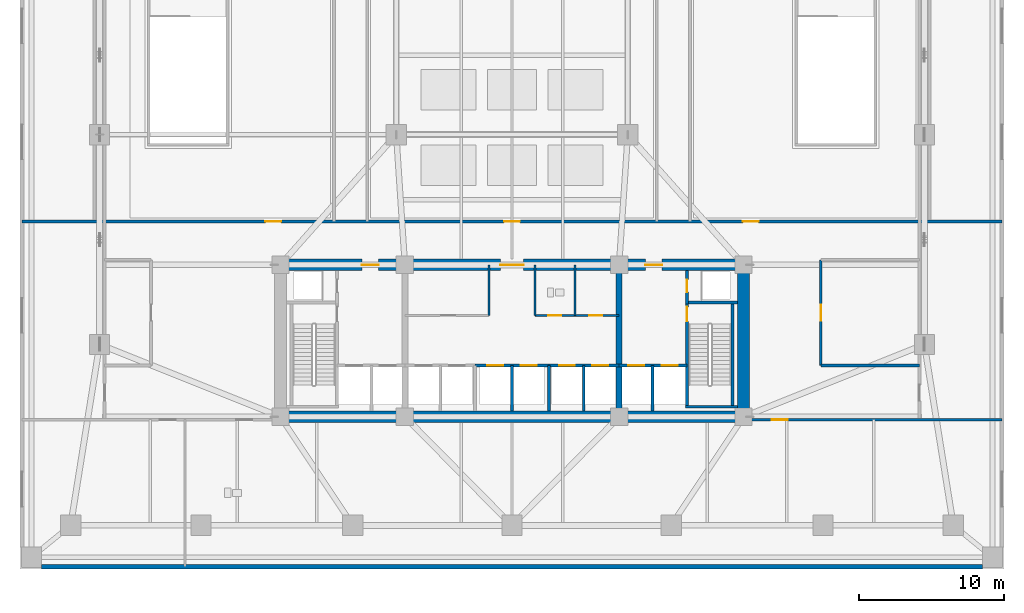
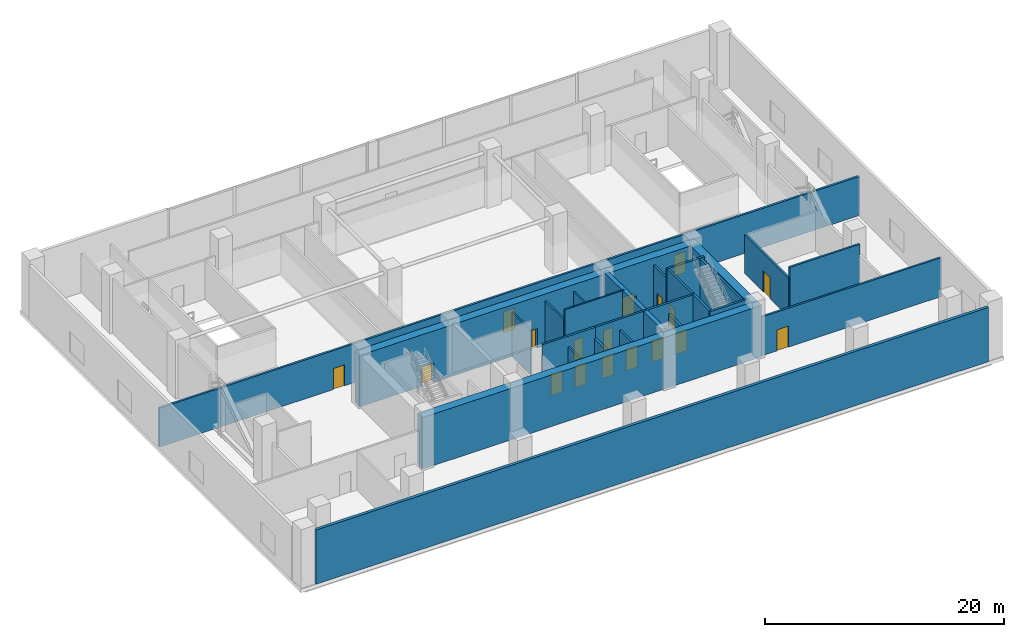
# One storey, part 12 of 16: 25 walls, 18 doors, 18 openings.
"""IFC4 building model written with IfcOpenShell, lengths in metres."""

from ifc_helpers import new_model, si_unit, direction, frame, frame_2d, origin, place, context, subcontext, project, spatial, rectangle, extrude, material, layer, layer_set, type_object, element, fill, save


model = new_model("IFC4")

# Units and contexts
model_context = context("Model", 3, precision=1e-05, world=origin(), true_north=direction((0.0, 1.0)))
body_context = subcontext(model_context, "Body", "Model", "MODEL_VIEW")
ifc_project = project(units=[si_unit("LENGTHUNIT", "METRE"), si_unit("AREAUNIT", "SQUARE_METRE"), si_unit("VOLUMEUNIT", "CUBIC_METRE"), si_unit("PLANEANGLEUNIT", "RADIAN"), si_unit("MASSUNIT", "GRAM", prefix="KILO")], contexts=[model_context])

# Site, building, storey
site_placement = place(None, origin())
site = spatial("IfcSite", under=ifc_project, at=site_placement, CompositionType="ELEMENT")
building_placement = place(site_placement, origin())
building = spatial("IfcBuilding", under=site, at=building_placement, Name="Solmavex Isthmus Hotel", CompositionType="ELEMENT")
storey_placement = place(building_placement, frame((0.0, 0.0, 20.39990234375)))
storey = spatial("IfcBuildingStorey", under=building, at=storey_placement, Name="L05", CompositionType="ELEMENT", Elevation=20.39990234375)

# Walls
ifc_material_1 = material(Name="Precast Concrete C40/50", Category="concrete")
ifc_layer_1 = layer(ifc_material_1, 0.280029296875)
ifc_layer_set_1 = layer_set([ifc_layer_1], Name="Precast Concrete C40/50")
wall_type_1 = type_object("IfcWallType", Name="EW-POD-280", PredefinedType="STANDARD", material=ifc_layer_set_1)
wall_1_placement = place(storey_placement, frame((-32.5, -23.360107421875, 0.0), z_axis=(0.0, 0.0, 1.0), x_axis=(1.0, 0.0, 0.0)))
element("IfcWall", 1, at=wall_1_placement, inside=storey, type_object=wall_type_1, Name="Podium Facade Wall South L05", PredefinedType="STANDARD", context=body_context, shape_type="SweptSolid", body=[
    extrude(rectangle(XDim=65.0, YDim=0.280029296875, at=frame_2d((32.5, 0.0))), origin(), (0.0, 0.0, 1.0), 5.550048828125),
])
ifc_material_2 = material(Name="Gypsum plasterboard lining", Category="gypsum")
ifc_layer_2 = layer(ifc_material_2, 0.14990234375)
ifc_layer_set_2 = layer_set([ifc_layer_2], Name="Gypsum plasterboard lining")
wall_type_2 = type_object("IfcWallType", Name="IW-CORR-150", PredefinedType="PARTITIONING", material=ifc_layer_set_2)
wall_2_placement = place(storey_placement, frame((-1.60009765625, -6.0, 0.0), z_axis=(0.0, 0.0, 1.0), x_axis=(0.0, 1.0, 0.0)))
element("IfcWall", 2, at=wall_2_placement, inside=storey, type_object=wall_type_2, Name="Interior Partition Wall W-L05-BOH-WE", PredefinedType="PARTITIONING", context=body_context, shape_type="SweptSolid", body=[
    extrude(rectangle(XDim=3.5, YDim=0.14990234375, at=frame_2d((1.75, 0.0))), origin(), (0.0, 0.0, 1.0), 4.545166015625),
])

# Wall, openings, doors
wall_3_placement = place(storey_placement, frame((1.60009765625, -6.0, 0.0), z_axis=(0.0, 0.0, 1.0), x_axis=(1.0, 0.0, 0.0)))
wall_3 = element("IfcWall", 3, at=wall_3_placement, inside=storey, type_object=wall_type_2, Name="Interior Partition Wall W-L05-BOH-ES", PredefinedType="PARTITIONING", context=body_context, shape_type="SweptSolid", body=[
    extrude(rectangle(XDim=5.7998046875, YDim=0.14990234375, at=frame_2d((2.89990234375, 0.0))), origin(), (0.0, 0.0, 1.0), 5.550048828125),
])
opening_1_placement = place(wall_3_placement, frame((0.89990234375, 0.0, 0.0)))
opening_1 = element("IfcOpeningElement", 4, at=opening_1_placement, cuts=wall_3, Name="Opening ID-C090", PredefinedType="OPENING", context=body_context, shape_type="SweptSolid", body=[
    extrude(rectangle(XDim=0.89990234375, YDim=2.10009765625, at=frame_2d((0.449951171875, 1.050048828125))), frame((0.0, 0.0849609375, 0.0), z_axis=(0.0, -1.0, 0.0), x_axis=(1.0, 0.0, 0.0)), (0.0, 0.0, 1.0), 0.169921875),
])
opening_2_placement = place(wall_3_placement, frame((3.75, 0.0, 0.0)))
opening_2 = element("IfcOpeningElement", 5, at=opening_2_placement, cuts=wall_3, Name="Opening ID-C090", PredefinedType="OPENING", context=body_context, shape_type="SweptSolid", body=[
    extrude(rectangle(XDim=0.89990234375, YDim=2.10009765625, at=frame_2d((0.449951171875, 1.050048828125))), frame((0.0, 0.0849609375, 0.0), z_axis=(0.0, -1.0, 0.0), x_axis=(1.0, 0.0, 0.0)), (0.0, 0.0, 1.0), 0.169921875),
])
ifc_material_3 = material(Name="Hardwood timber", Category="wood")
door_type_1 = type_object("IfcDoorType", Name="IDR-FD60-0900", OperationType="NOTDEFINED", PredefinedType="DOOR", material=ifc_material_3)
door_1_placement = place(opening_1_placement, frame((0.89990234375, 0.0, 0.0), z_axis=(0.0, 0.0, 1.0), x_axis=(-1.0, 0.0, 0.0)))
door_1 = element("IfcDoor", 6, at=door_1_placement, inside=storey, type_object=door_type_1, Name="Staff WC Door L05", OperationType="SINGLE_SWING_RIGHT", OverallHeight=2.10009765625, OverallWidth=0.89990234375, PredefinedType="DOOR", context=body_context, shape_type="SweptSolid", body=[
    extrude(rectangle(XDim=0.89990234375, YDim=2.10009765625, at=frame_2d((0.449951171875, 1.050048828125))), frame((0.0, 0.02490234375, 0.0), z_axis=(0.0, -1.0, 0.0), x_axis=(1.0, 0.0, 0.0)), (0.0, 0.0, 1.0), 0.050048828125),
])
fill(opening_1, door_1)
door_2_placement = place(opening_2_placement, frame((0.89990234375, 0.0, 0.0), z_axis=(0.0, 0.0, 1.0), x_axis=(-1.0, 0.0, 0.0)))
door_2 = element("IfcDoor", 7, at=door_2_placement, inside=storey, type_object=door_type_1, Name="Pantry Door L05", OperationType="SINGLE_SWING_LEFT", OverallHeight=2.10009765625, OverallWidth=0.89990234375, PredefinedType="DOOR", context=body_context, shape_type="SweptSolid", body=[
    extrude(rectangle(XDim=0.89990234375, YDim=2.10009765625, at=frame_2d((0.449951171875, 1.050048828125))), frame((0.0, 0.02490234375, 0.0), z_axis=(0.0, -1.0, 0.0), x_axis=(1.0, 0.0, 0.0)), (0.0, 0.0, 1.0), 0.050048828125),
])
fill(opening_2, door_2)

# Walls
wall_4_placement = place(storey_placement, frame((1.60009765625, -6.0, 0.0), z_axis=(0.0, 0.0, 1.0), x_axis=(0.0, 1.0, 0.0)))
element("IfcWall", 8, at=wall_4_placement, inside=storey, type_object=wall_type_2, Name="Interior Partition Wall W-L05-BOH-EW", PredefinedType="PARTITIONING", context=body_context, shape_type="SweptSolid", body=[
    extrude(rectangle(XDim=3.5, YDim=0.14990234375, at=frame_2d((1.75, 0.0))), origin(), (0.0, 0.0, 1.0), 4.545166015625),
])
ifc_layer_3 = layer(ifc_material_2, 0.1201171875)
ifc_layer_set_3 = layer_set([ifc_layer_3], Name="Gypsum plasterboard lining")
wall_type_3 = type_object("IfcWallType", Name="IW-PART-120", PredefinedType="PARTITIONING", material=ifc_layer_set_3)
wall_5_placement = place(storey_placement, frame((4.35009765625, -6.0, 0.0), z_axis=(0.0, 0.0, 1.0), x_axis=(0.0, 1.0, 0.0)))
element("IfcWall", 9, at=wall_5_placement, inside=storey, type_object=wall_type_3, Name="Interior Partition Wall W-L05-BOH-EM0", PredefinedType="PARTITIONING", context=body_context, shape_type="SweptSolid", body=[
    extrude(rectangle(XDim=3.5, YDim=0.14990234375, at=frame_2d((1.75, 0.0))), origin(), (0.0, 0.0, 1.0), 4.545166015625),
])
ifc_material_4 = material(Name="Concrete C40/50", Category="concrete")
ifc_layer_4 = layer(ifc_material_4, 0.179931640625)
ifc_layer_set_4 = layer_set([ifc_layer_4], Name="Concrete C40/50")
wall_type_4 = type_object("IfcWallType", Name="IW-SHAFT-180", PredefinedType="PARTITIONING", material=ifc_layer_set_4)
for number, where, z_axis, x_axis, name in (
    (10, (0.0, -12.60009765625, 0.0), (0.0, 0.0, 1.0), (0.0, 1.0, 0.0), "Interior Partition Wall W-L05-SH-PLM-M"),
    (11, (4.949951171875, -12.60009765625, 0.0), (0.0, 0.0, 1.0), (0.0, 1.0, 0.0), "Interior Partition Wall W-L05-SH-PLH-M"),
):
    element("IfcWall", number, at=place(storey_placement, frame(where, z_axis=z_axis, x_axis=x_axis)), inside=storey, type_object=wall_type_4, Name=name, PredefinedType="PARTITIONING", context=body_context, shape_type="SweptSolid", body=[
        extrude(rectangle(XDim=3.150146484375, YDim=0.179931640625, at=frame_2d((1.5751953125, 0.0))), origin(), (0.0, 0.0, 1.0), 4.43505859375),
    ])

# Wall, opening, door
wall_6_placement = place(storey_placement, frame((16.0, -13.199951171875, 0.0), z_axis=(0.0, 0.0, 1.0), x_axis=(1.0, 0.0, 0.0)))
wall_6 = element("IfcWall", 12, at=wall_6_placement, inside=storey, type_object=wall_type_4, Name="Interior Partition Wall W-L05-SE", PredefinedType="PARTITIONING", context=body_context, shape_type="SweptSolid", body=[
    extrude(rectangle(XDim=17.860107421875, YDim=0.179931640625, at=frame_2d((8.93017578125, 0.0))), origin(), (0.0, 0.0, 1.0), 3.985107421875),
])
opening_3_placement = place(wall_6_placement, frame((1.949951171875, 0.0, 0.0)))
opening_3 = element("IfcOpeningElement", 13, at=opening_3_placement, cuts=wall_6, Name="Opening ID-C110", PredefinedType="OPENING", context=body_context, shape_type="SweptSolid", body=[
    extrude(rectangle(XDim=1.10009765625, YDim=2.14990234375, at=frame_2d((0.550048828125, 1.074951171875))), frame((0.0, 0.099853515625, 0.0), z_axis=(0.0, -1.0, 0.0), x_axis=(1.0, 0.0, 0.0)), (0.0, 0.0, 1.0), 0.199951171875),
])
door_type_2 = type_object("IfcDoorType", Name="IDR-FD60-1100", OperationType="NOTDEFINED", PredefinedType="DOOR", material=ifc_material_3)
door_3_placement = place(opening_3_placement, origin())
door_3 = element("IfcDoor", 14, at=door_3_placement, inside=storey, type_object=door_type_2, Name="Podium L05 Door D-L05-PLT", OperationType="SINGLE_SWING_LEFT", OverallHeight=2.14990234375, OverallWidth=1.10009765625, PredefinedType="DOOR", context=body_context, shape_type="SweptSolid", body=[
    extrude(rectangle(XDim=1.10009765625, YDim=2.14990234375, at=frame_2d((0.550048828125, 1.074951171875))), frame((0.0, 0.02490234375, 0.0), z_axis=(0.0, -1.0, 0.0), x_axis=(1.0, 0.0, 0.0)), (0.0, 0.0, 1.0), 0.050048828125),
])
fill(opening_3, door_3)

# Wall
wall_7_placement = place(storey_placement, frame((21.35009765625, -9.449951171875, 0.0), z_axis=(0.0, 0.0, 1.0), x_axis=(1.0, 0.0, 0.0)))
element("IfcWall", 15, at=wall_7_placement, inside=storey, type_object=wall_type_4, Name="Interior Partition Wall W-L05-CSE2", PredefinedType="PARTITIONING", context=body_context, shape_type="SweptSolid", body=[
    extrude(rectangle(XDim=6.7998046875, YDim=0.179931640625, at=frame_2d((3.39990234375, 0.0))), origin(), (0.0, 0.0, 1.0), 5.078125),
])

# Wall, opening, door
wall_8_placement = place(storey_placement, frame((21.35009765625, -9.449951171875, 0.0), z_axis=(0.0, 0.0, 1.0), x_axis=(0.0, 1.0, 0.0)))
wall_8 = element("IfcWall", 16, at=wall_8_placement, inside=storey, type_object=wall_type_4, Name="Interior Partition Wall W-L05-CVE", PredefinedType="PARTITIONING", context=body_context, shape_type="SweptSolid", body=[
    extrude(rectangle(XDim=7.300048828125, YDim=0.179931640625, at=frame_2d((3.64990234375, 0.0))), origin(), (0.0, 0.0, 1.0), 3.985107421875),
])
opening_4_placement = place(wall_8_placement, frame((3.10009765625, 0.0, 0.0)))
opening_4 = element("IfcOpeningElement", 17, at=opening_4_placement, cuts=wall_8, Name="Opening ID-C110", PredefinedType="OPENING", context=body_context, shape_type="SweptSolid", body=[
    extrude(rectangle(XDim=1.10009765625, YDim=2.14990234375, at=frame_2d((0.550048828125, 1.074951171875))), frame((0.0, 0.099853515625, 0.0), z_axis=(0.0, -1.0, 0.0), x_axis=(1.0, 0.0, 0.0)), (0.0, 0.0, 1.0), 0.199951171875),
])
door_4_placement = place(opening_4_placement, origin())
door_4 = element("IfcDoor", 18, at=door_4_placement, inside=storey, type_object=door_type_2, Name="Podium L05 Door D-L05-STE", OperationType="SINGLE_SWING_LEFT", OverallHeight=2.14990234375, OverallWidth=1.10009765625, PredefinedType="DOOR", context=body_context, shape_type="SweptSolid", body=[
    extrude(rectangle(XDim=1.10009765625, YDim=2.14990234375, at=frame_2d((0.550048828125, 1.074951171875))), frame((0.0, 0.02490234375, 0.0), z_axis=(0.0, -1.0, 0.0), x_axis=(1.0, 0.0, 0.0)), (0.0, 0.0, 1.0), 0.050048828125),
])
fill(opening_4, door_4)

ifc_layer_5 = layer(ifc_material_4, 0.199951171875)
ifc_layer_set_5 = layer_set([ifc_layer_5], Name="Concrete C40/50")
wall_type_5 = type_object("IfcWallType", Name="IW-SHAFT-200", PredefinedType="PARTITIONING", material=ifc_layer_set_5)
wall_9_placement = place(storey_placement, frame((12.10009765625, -5.199951171875, 0.0), z_axis=(0.0, 0.0, 1.0), x_axis=(0.0, 1.0, 0.0)))
wall_9 = element("IfcWall", 19, at=wall_9_placement, inside=storey, type_object=wall_type_5, Name="Interior Partition Wall W-L05-RSE-W", PredefinedType="PARTITIONING", context=body_context, shape_type="SweptSolid", body=[
    extrude(rectangle(XDim=2.300048828125, YDim=0.199951171875, at=frame_2d((1.14990234375, 0.0))), origin(), (0.0, 0.0, 1.0), 4.545166015625),
])
opening_5_placement = place(wall_9_placement, frame((0.824951171875, 0.0, 0.0)))
opening_5 = element("IfcOpeningElement", 20, at=opening_5_placement, cuts=wall_9, Name="Opening ID-R085", PredefinedType="OPENING", context=body_context, shape_type="SweptSolid", body=[
    extrude(rectangle(XDim=0.85009765625, YDim=2.050048828125, at=frame_2d((0.425048828125, 1.02490234375))), frame((0.0, 0.10986328125, 0.0), z_axis=(0.0, -1.0, 0.0), x_axis=(1.0, 0.0, 0.0)), (0.0, 0.0, 1.0), 0.219970703125),
])
ifc_material_5 = material(Name="Steel ASTM A500 Grade C", Category="steel")
door_type_3 = type_object("IfcDoorType", Name="IDR-FD60-0850", OperationType="NOTDEFINED", PredefinedType="DOOR", material=ifc_material_5)
door_5_placement = place(opening_5_placement, frame((0.85009765625, 0.0, 0.0), z_axis=(0.0, 0.0, 1.0), x_axis=(-1.0, 0.0, 0.0)))
door_5 = element("IfcDoor", 21, at=door_5_placement, inside=storey, type_object=door_type_3, Name="Mechanical Riser Door L05", OperationType="SINGLE_SWING_LEFT", OverallHeight=2.050048828125, OverallWidth=0.85009765625, PredefinedType="DOOR", context=body_context, shape_type="SweptSolid", body=[
    extrude(rectangle(XDim=0.85009765625, YDim=2.050048828125, at=frame_2d((0.425048828125, 1.02490234375))), frame((0.0, 0.02490234375, 0.0), z_axis=(0.0, -1.0, 0.0), x_axis=(1.0, 0.0, 0.0)), (0.0, 0.0, 1.0), 0.050048828125),
])
fill(opening_5, door_5)

# Wall, openings, doors
wall_10_placement = place(storey_placement, frame((7.39990234375, -9.449951171875, 0.0), z_axis=(0.0, 0.0, 1.0), x_axis=(1.0, 0.0, 0.0)))
wall_10 = element("IfcWall", 22, at=wall_10_placement, inside=storey, type_object=wall_type_5, Name="Interior Partition Wall W-L05-FFLE-S", PredefinedType="PARTITIONING", context=body_context, shape_type="SweptSolid", body=[
    extrude(rectangle(XDim=4.7001953125, YDim=0.199951171875, at=frame_2d((2.35009765625, 0.0))), origin(), (0.0, 0.0, 1.0), 5.550048828125),
])
opening_6_placement = place(wall_10_placement, frame((2.949951171875, 0.0, 0.0)))
opening_6 = element("IfcOpeningElement", 23, at=opening_6_placement, cuts=wall_10, Name="Opening LD-FF", PredefinedType="OPENING", context=body_context, shape_type="SweptSolid", body=[
    extrude(rectangle(XDim=1.10009765625, YDim=2.199951171875, at=frame_2d((0.550048828125, 1.10009765625))), frame((0.0, 0.10986328125, 0.0), z_axis=(0.0, -1.0, 0.0), x_axis=(1.0, 0.0, 0.0)), (0.0, 0.0, 1.0), 0.219970703125),
])
opening_7_placement = place(wall_10_placement, frame((0.64990234375, 0.0, 0.0)))
opening_7 = element("IfcOpeningElement", 24, at=opening_7_placement, cuts=wall_10, Name="Opening LD-SV", PredefinedType="OPENING", context=body_context, shape_type="SweptSolid", body=[
    extrude(rectangle(XDim=1.10009765625, YDim=2.199951171875, at=frame_2d((0.550048828125, 1.10009765625))), frame((0.0, 0.10986328125, 0.0), z_axis=(0.0, -1.0, 0.0), x_axis=(1.0, 0.0, 0.0)), (0.0, 0.0, 1.0), 0.219970703125),
])
ifc_material_6 = material(Name="Stainless steel 316", Category="steel")
door_type_4 = type_object("IfcDoorType", Name="LDR-FF-1100", OperationType="NOTDEFINED", PredefinedType="DOOR", material=ifc_material_6)
door_6_placement = place(opening_6_placement, origin())
door_6 = element("IfcDoor", 25, at=door_6_placement, inside=storey, type_object=door_type_4, Name="Lift Landing Door FFL-2 L05", OperationType="SLIDING_TO_LEFT", OverallHeight=2.199951171875, OverallWidth=1.10009765625, PredefinedType="DOOR", context=body_context, shape_type="SweptSolid", body=[
    extrude(rectangle(XDim=1.10009765625, YDim=2.199951171875, at=frame_2d((0.550048828125, 1.10009765625))), frame((0.0, 0.02490234375, 0.0), z_axis=(0.0, -1.0, 0.0), x_axis=(1.0, 0.0, 0.0)), (0.0, 0.0, 1.0), 0.050048828125),
])
fill(opening_6, door_6)
door_type_5 = type_object("IfcDoorType", Name="LDR-SV-1100", OperationType="NOTDEFINED", PredefinedType="DOOR", material=ifc_material_6)
door_7_placement = place(opening_7_placement, origin())
door_7 = element("IfcDoor", 26, at=door_7_placement, inside=storey, type_object=door_type_5, Name="Lift Landing Door SVL-2 L05", OperationType="SLIDING_TO_RIGHT", OverallHeight=2.199951171875, OverallWidth=1.10009765625, PredefinedType="DOOR", context=body_context, shape_type="SweptSolid", body=[
    extrude(rectangle(XDim=1.10009765625, YDim=2.199951171875, at=frame_2d((0.550048828125, 1.10009765625))), frame((0.0, 0.02490234375, 0.0), z_axis=(0.0, -1.0, 0.0), x_axis=(1.0, 0.0, 0.0)), (0.0, 0.0, 1.0), 0.050048828125),
])
fill(opening_7, door_7)

# Wall
wall_11_placement = place(storey_placement, frame((9.699951171875, -12.60009765625, 0.0), z_axis=(0.0, 0.0, 1.0), x_axis=(0.0, 1.0, 0.0)))
element("IfcWall", 27, at=wall_11_placement, inside=storey, type_object=wall_type_5, Name="Interior Partition Wall W-L05-FFLE-M", PredefinedType="PARTITIONING", context=body_context, shape_type="SweptSolid", body=[
    extrude(rectangle(XDim=3.150146484375, YDim=0.199951171875, at=frame_2d((1.5751953125, 0.0))), origin(), (0.0, 0.0, 1.0), 4.43505859375),
])

# Wall, openings, doors
wall_12_placement = place(storey_placement, frame((-2.550048828125, -9.449951171875, 0.0), z_axis=(0.0, 0.0, 1.0), x_axis=(1.0, 0.0, 0.0)))
wall_12 = element("IfcWall", 28, at=wall_12_placement, inside=storey, type_object=wall_type_5, Name="Interior Partition Wall W-L05-SH-PLM", PredefinedType="PARTITIONING", context=body_context, shape_type="SweptSolid", body=[
    extrude(rectangle(XDim=5.10009765625, YDim=0.199951171875, at=frame_2d((2.550048828125, 0.0))), origin(), (0.0, 0.0, 1.0), 5.550048828125),
])
opening_8_placement = place(wall_12_placement, frame((0.85009765625, 0.0, 0.0)))
opening_8 = element("IfcOpeningElement", 29, at=opening_8_placement, cuts=wall_12, Name="Opening LD-PL", PredefinedType="OPENING", context=body_context, shape_type="SweptSolid", body=[
    extrude(rectangle(XDim=1.10009765625, YDim=2.199951171875, at=frame_2d((0.550048828125, 1.10009765625))), frame((0.0, 0.10986328125, 0.0), z_axis=(0.0, -1.0, 0.0), x_axis=(1.0, 0.0, 0.0)), (0.0, 0.0, 1.0), 0.219970703125),
])
opening_9_placement = place(wall_12_placement, frame((3.14990234375, 0.0, 0.0)))
opening_9 = element("IfcOpeningElement", 30, at=opening_9_placement, cuts=wall_12, Name="Opening LD-PL", PredefinedType="OPENING", context=body_context, shape_type="SweptSolid", body=[
    extrude(rectangle(XDim=1.10009765625, YDim=2.199951171875, at=frame_2d((0.550048828125, 1.10009765625))), frame((0.0, 0.10986328125, 0.0), z_axis=(0.0, -1.0, 0.0), x_axis=(1.0, 0.0, 0.0)), (0.0, 0.0, 1.0), 0.219970703125),
])
door_type_6 = type_object("IfcDoorType", Name="LDR-PL-1100", OperationType="NOTDEFINED", PredefinedType="DOOR", material=ifc_material_6)
door_8_placement = place(opening_8_placement, origin())
door_8 = element("IfcDoor", 31, at=door_8_placement, inside=storey, type_object=door_type_6, Name="Lift Landing Door PLM1 L05", OperationType="SLIDING_TO_RIGHT", OverallHeight=2.199951171875, OverallWidth=1.10009765625, PredefinedType="DOOR", context=body_context, shape_type="SweptSolid", body=[
    extrude(rectangle(XDim=1.10009765625, YDim=2.199951171875, at=frame_2d((0.550048828125, 1.10009765625))), frame((0.0, 0.02490234375, 0.0), z_axis=(0.0, -1.0, 0.0), x_axis=(1.0, 0.0, 0.0)), (0.0, 0.0, 1.0), 0.050048828125),
])
fill(opening_8, door_8)
door_9_placement = place(opening_9_placement, origin())
door_9 = element("IfcDoor", 32, at=door_9_placement, inside=storey, type_object=door_type_6, Name="Lift Landing Door PLM2 L05", OperationType="SLIDING_TO_RIGHT", OverallHeight=2.199951171875, OverallWidth=1.10009765625, PredefinedType="DOOR", context=body_context, shape_type="SweptSolid", body=[
    extrude(rectangle(XDim=1.10009765625, YDim=2.199951171875, at=frame_2d((0.550048828125, 1.10009765625))), frame((0.0, 0.02490234375, 0.0), z_axis=(0.0, -1.0, 0.0), x_axis=(1.0, 0.0, 0.0)), (0.0, 0.0, 1.0), 0.050048828125),
])
fill(opening_9, door_9)

# Wall
wall_13_placement = place(storey_placement, frame((2.550048828125, -12.60009765625, 0.0), z_axis=(0.0, 0.0, 1.0), x_axis=(0.0, 1.0, 0.0)))
element("IfcWall", 33, at=wall_13_placement, inside=storey, type_object=wall_type_5, Name="Interior Partition Wall W-L05-SH-PLM-E", PredefinedType="PARTITIONING", context=body_context, shape_type="SweptSolid", body=[
    extrude(rectangle(XDim=3.150146484375, YDim=0.199951171875, at=frame_2d((1.5751953125, 0.0))), origin(), (0.0, 0.0, 1.0), 4.43505859375),
])

# Wall, openings, doors
wall_14_placement = place(storey_placement, frame((2.550048828125, -9.449951171875, 0.0), z_axis=(0.0, 0.0, 1.0), x_axis=(1.0, 0.0, 0.0)))
wall_14 = element("IfcWall", 34, at=wall_14_placement, inside=storey, type_object=wall_type_5, Name="Interior Partition Wall W-L05-SH-PLH", PredefinedType="PARTITIONING", context=body_context, shape_type="SweptSolid", body=[
    extrude(rectangle(XDim=4.849853515625, YDim=0.199951171875, at=frame_2d((2.4248046875, 0.0))), origin(), (0.0, 0.0, 1.0), 5.550048828125),
])
opening_10_placement = place(wall_14_placement, frame((0.699951171875, 0.0, 0.0)))
opening_10 = element("IfcOpeningElement", 35, at=opening_10_placement, cuts=wall_14, Name="Opening LD-PL", PredefinedType="OPENING", context=body_context, shape_type="SweptSolid", body=[
    extrude(rectangle(XDim=1.10009765625, YDim=2.199951171875, at=frame_2d((0.550048828125, 1.10009765625))), frame((0.0, 0.10986328125, 0.0), z_axis=(0.0, -1.0, 0.0), x_axis=(1.0, 0.0, 0.0)), (0.0, 0.0, 1.0), 0.219970703125),
])
opening_11_placement = place(wall_14_placement, frame((3.0, 0.0, 0.0)))
opening_11 = element("IfcOpeningElement", 36, at=opening_11_placement, cuts=wall_14, Name="Opening LD-PL", PredefinedType="OPENING", context=body_context, shape_type="SweptSolid", body=[
    extrude(rectangle(XDim=1.10009765625, YDim=2.199951171875, at=frame_2d((0.550048828125, 1.10009765625))), frame((0.0, 0.10986328125, 0.0), z_axis=(0.0, -1.0, 0.0), x_axis=(1.0, 0.0, 0.0)), (0.0, 0.0, 1.0), 0.219970703125),
])
door_10_placement = place(opening_10_placement, origin())
door_10 = element("IfcDoor", 37, at=door_10_placement, inside=storey, type_object=door_type_6, Name="Lift Landing Door PLH1 L05", OperationType="SLIDING_TO_LEFT", OverallHeight=2.199951171875, OverallWidth=1.10009765625, PredefinedType="DOOR", context=body_context, shape_type="SweptSolid", body=[
    extrude(rectangle(XDim=1.10009765625, YDim=2.199951171875, at=frame_2d((0.550048828125, 1.10009765625))), frame((0.0, 0.02490234375, 0.0), z_axis=(0.0, -1.0, 0.0), x_axis=(1.0, 0.0, 0.0)), (0.0, 0.0, 1.0), 0.050048828125),
])
fill(opening_10, door_10)
door_11_placement = place(opening_11_placement, origin())
door_11 = element("IfcDoor", 38, at=door_11_placement, inside=storey, type_object=door_type_6, Name="Lift Landing Door PLH2 L05", OperationType="SLIDING_TO_LEFT", OverallHeight=2.199951171875, OverallWidth=1.10009765625, PredefinedType="DOOR", context=body_context, shape_type="SweptSolid", body=[
    extrude(rectangle(XDim=1.10009765625, YDim=2.199951171875, at=frame_2d((0.550048828125, 1.10009765625))), frame((0.0, 0.02490234375, 0.0), z_axis=(0.0, -1.0, 0.0), x_axis=(1.0, 0.0, 0.0)), (0.0, 0.0, 1.0), 0.050048828125),
])
fill(opening_11, door_11)

wall_15_placement = place(storey_placement, frame((-33.860107421875, 0.5, 0.0), z_axis=(0.0, 0.0, 1.0), x_axis=(1.0, 0.0, 0.0)))
wall_15 = element("IfcWall", 39, at=wall_15_placement, inside=storey, type_object=wall_type_5, Name="Interior Partition Wall W-L05-N", PredefinedType="PARTITIONING", context=body_context, shape_type="SweptSolid", body=[
    extrude(rectangle(XDim=67.72021484375, YDim=0.199951171875, at=frame_2d((33.860107421875, 0.0))), origin(), (0.0, 0.0, 1.0), 3.985107421875),
])
opening_12_placement = place(wall_15_placement, frame((16.81005859375, 0.0, 0.0)))
opening_12 = element("IfcOpeningElement", 40, at=opening_12_placement, cuts=wall_15, Name="Opening ID-C110", PredefinedType="OPENING", context=body_context, shape_type="SweptSolid", body=[
    extrude(rectangle(XDim=1.10009765625, YDim=2.14990234375, at=frame_2d((0.550048828125, 1.074951171875))), frame((0.0, 0.10986328125, 0.0), z_axis=(0.0, -1.0, 0.0), x_axis=(1.0, 0.0, 0.0)), (0.0, 0.0, 1.0), 0.219970703125),
])
opening_13_placement = place(wall_15_placement, frame((33.31005859375, 0.0, 0.0)))
opening_13 = element("IfcOpeningElement", 41, at=opening_13_placement, cuts=wall_15, Name="Opening ID-C110", PredefinedType="OPENING", context=body_context, shape_type="SweptSolid", body=[
    extrude(rectangle(XDim=1.10009765625, YDim=2.14990234375, at=frame_2d((0.550048828125, 1.074951171875))), frame((0.0, 0.10986328125, 0.0), z_axis=(0.0, -1.0, 0.0), x_axis=(1.0, 0.0, 0.0)), (0.0, 0.0, 1.0), 0.219970703125),
])
opening_14_placement = place(wall_15_placement, frame((49.81005859375, 0.0, 0.0)))
opening_14 = element("IfcOpeningElement", 42, at=opening_14_placement, cuts=wall_15, Name="Opening ID-C110", PredefinedType="OPENING", context=body_context, shape_type="SweptSolid", body=[
    extrude(rectangle(XDim=1.10009765625, YDim=2.14990234375, at=frame_2d((0.550048828125, 1.074951171875))), frame((0.0, 0.10986328125, 0.0), z_axis=(0.0, -1.0, 0.0), x_axis=(1.0, 0.0, 0.0)), (0.0, 0.0, 1.0), 0.219970703125),
])
door_12_placement = place(opening_12_placement, origin())
door_12 = element("IfcDoor", 43, at=door_12_placement, inside=storey, type_object=door_type_2, Name="Podium L05 Door D-L05-FIT", OperationType="SINGLE_SWING_LEFT", OverallHeight=2.14990234375, OverallWidth=1.10009765625, PredefinedType="DOOR", context=body_context, shape_type="SweptSolid", body=[
    extrude(rectangle(XDim=1.10009765625, YDim=2.14990234375, at=frame_2d((0.550048828125, 1.074951171875))), frame((0.0, 0.02490234375, 0.0), z_axis=(0.0, -1.0, 0.0), x_axis=(1.0, 0.0, 0.0)), (0.0, 0.0, 1.0), 0.050048828125),
])
fill(opening_12, door_12)
door_13_placement = place(opening_13_placement, origin())
door_13 = element("IfcDoor", 44, at=door_13_placement, inside=storey, type_object=door_type_2, Name="Podium L05 Door D-L05-PLN", OperationType="SINGLE_SWING_LEFT", OverallHeight=2.14990234375, OverallWidth=1.10009765625, PredefinedType="DOOR", context=body_context, shape_type="SweptSolid", body=[
    extrude(rectangle(XDim=1.10009765625, YDim=2.14990234375, at=frame_2d((0.550048828125, 1.074951171875))), frame((0.0, 0.02490234375, 0.0), z_axis=(0.0, -1.0, 0.0), x_axis=(1.0, 0.0, 0.0)), (0.0, 0.0, 1.0), 0.050048828125),
])
fill(opening_13, door_13)
door_14_placement = place(opening_14_placement, origin())
door_14 = element("IfcDoor", 45, at=door_14_placement, inside=storey, type_object=door_type_2, Name="Podium L05 Door D-L05-SPA", OperationType="SINGLE_SWING_LEFT", OverallHeight=2.14990234375, OverallWidth=1.10009765625, PredefinedType="DOOR", context=body_context, shape_type="SweptSolid", body=[
    extrude(rectangle(XDim=1.10009765625, YDim=2.14990234375, at=frame_2d((0.550048828125, 1.074951171875))), frame((0.0, 0.02490234375, 0.0), z_axis=(0.0, -1.0, 0.0), x_axis=(1.0, 0.0, 0.0)), (0.0, 0.0, 1.0), 0.050048828125),
])
fill(opening_14, door_14)

# Walls
ifc_material_7 = material(Name="Concrete C70/85", Category="concrete")
ifc_layer_6 = layer(ifc_material_7, 0.39990234375)
ifc_layer_set_6 = layer_set([ifc_layer_6], Name="Concrete C70/85")
wall_type_6 = type_object("IfcWallType", Name="WALL-CW-400L", PredefinedType="SHEAR", material=ifc_layer_set_6)
wall_16_placement = place(storey_placement, frame((7.39990234375, -12.60009765625, 0.0), z_axis=(0.0, 0.0, 1.0), x_axis=(0.0, 1.0, 0.0)))
element("IfcWall", 46, at=wall_16_placement, inside=storey, type_object=wall_type_6, Name="Core Cross Shear Wall C2 L05", PredefinedType="SHEAR", context=body_context, shape_type="SweptSolid", body=[
    extrude(rectangle(XDim=9.7001953125, YDim=0.39990234375, at=frame_2d((4.85009765625, 0.0))), origin(), (0.0, 0.0, 1.0), 5.550048828125),
])
ifc_layer_7 = layer(ifc_material_7, 0.800048828125)
ifc_layer_set_7 = layer_set([ifc_layer_7], Name="Concrete C70/85")
wall_type_7 = type_object("IfcWallType", Name="WALL-CW-800", PredefinedType="SHEAR", material=ifc_layer_set_7)
wall_17_placement = place(storey_placement, frame((-16.39990234375, -13.0, 0.0), z_axis=(0.0, 0.0, 1.0), x_axis=(1.0, 0.0, 0.0)))
element("IfcWall", 47, at=wall_17_placement, inside=storey, type_object=wall_type_7, Name="Core Shear Wall South L05", PredefinedType="SHEAR", context=body_context, shape_type="SweptSolid", body=[
    extrude(rectangle(XDim=32.7998046875, YDim=0.800048828125, at=frame_2d((16.39990234375, 0.0))), origin(), (0.0, 0.0, 1.0), 5.27001953125),
])

# Wall, openings, doors
wall_18_placement = place(storey_placement, frame((-16.39990234375, -2.5, 0.0), z_axis=(0.0, 0.0, 1.0), x_axis=(1.0, 0.0, 0.0)))
wall_18 = element("IfcWall", 48, at=wall_18_placement, inside=storey, type_object=wall_type_7, Name="Core Shear Wall North L05", PredefinedType="SHEAR", context=body_context, shape_type="SweptSolid", body=[
    extrude(rectangle(XDim=32.7998046875, YDim=0.800048828125, at=frame_2d((16.39990234375, 0.0))), origin(), (0.0, 0.0, 1.0), 5.27001953125),
])
opening_15_placement = place(wall_18_placement, frame((6.02490234375, 0.0, 0.0)))
opening_15 = element("IfcOpeningElement", 49, at=opening_15_placement, cuts=wall_18, Name="Opening ID-F915", PredefinedType="OPENING", context=body_context, shape_type="SweptSolid", body=[
    extrude(rectangle(XDim=1.14990234375, YDim=2.0, at=frame_2d((0.574951171875, 1.0))), frame((0.0, 0.409912109375, 0.0), z_axis=(0.0, -1.0, 0.0), x_axis=(1.0, 0.0, 0.0)), (0.0, 0.0, 1.0), 0.820068359375),
])
opening_16_placement = place(wall_18_placement, frame((15.60009765625, 0.0, 0.0)))
opening_16 = element("IfcOpeningElement", 50, at=opening_16_placement, cuts=wall_18, Name="Opening ID-F960", PredefinedType="OPENING", context=body_context, shape_type="SweptSolid", body=[
    extrude(rectangle(XDim=1.60009765625, YDim=2.0, at=frame_2d((0.800048828125, 1.0))), frame((0.0, 0.409912109375, 0.0), z_axis=(0.0, -1.0, 0.0), x_axis=(1.0, 0.0, 0.0)), (0.0, 0.0, 1.0), 0.820068359375),
])
opening_17_placement = place(wall_18_placement, frame((25.625, 0.0, 0.0)))
opening_17 = element("IfcOpeningElement", 51, at=opening_17_placement, cuts=wall_18, Name="Opening ID-F915", PredefinedType="OPENING", context=body_context, shape_type="SweptSolid", body=[
    extrude(rectangle(XDim=1.14990234375, YDim=2.0, at=frame_2d((0.574951171875, 1.0))), frame((0.0, 0.409912109375, 0.0), z_axis=(0.0, -1.0, 0.0), x_axis=(1.0, 0.0, 0.0)), (0.0, 0.0, 1.0), 0.820068359375),
])
door_type_7 = type_object("IfcDoorType", Name="IDR-FD90-1150C", OperationType="NOTDEFINED", PredefinedType="DOOR", material=ifc_material_5)
door_15_placement = place(opening_15_placement, origin())
door_15 = element("IfcDoor", 52, at=door_15_placement, inside=storey, type_object=door_type_7, Name="Firefighting Lobby West Exit Door L05", OperationType="SINGLE_SWING_LEFT", OverallHeight=2.0, OverallWidth=1.14990234375, PredefinedType="DOOR", context=body_context, shape_type="SweptSolid", body=[
    extrude(rectangle(XDim=1.14990234375, YDim=2.0, at=frame_2d((0.574951171875, 1.0))), frame((0.0, 0.02490234375, 0.0), z_axis=(0.0, -1.0, 0.0), x_axis=(1.0, 0.0, 0.0)), (0.0, 0.0, 1.0), 0.050048828125),
])
fill(opening_15, door_15)
door_16_placement = place(opening_17_placement, origin())
door_16 = element("IfcDoor", 53, at=door_16_placement, inside=storey, type_object=door_type_7, Name="Firefighting Lobby East Exit Door L05", OperationType="SINGLE_SWING_RIGHT", OverallHeight=2.0, OverallWidth=1.14990234375, PredefinedType="DOOR", context=body_context, shape_type="SweptSolid", body=[
    extrude(rectangle(XDim=1.14990234375, YDim=2.0, at=frame_2d((0.574951171875, 1.0))), frame((0.0, 0.02490234375, 0.0), z_axis=(0.0, -1.0, 0.0), x_axis=(1.0, 0.0, 0.0)), (0.0, 0.0, 1.0), 0.050048828125),
])
fill(opening_17, door_16)
door_type_8 = type_object("IfcDoorType", Name="IDR-FD90-1600C", OperationType="NOTDEFINED", PredefinedType="DOOR", material=ifc_material_5)
door_17_placement = place(opening_16_placement, origin())
door_17 = element("IfcDoor", 54, at=door_17_placement, inside=storey, type_object=door_type_8, Name="Central Lift Lobby Door L05", OperationType="DOUBLE_DOOR_SINGLE_SWING", OverallHeight=2.0, OverallWidth=1.60009765625, PredefinedType="DOOR", context=body_context, shape_type="SweptSolid", body=[
    extrude(rectangle(XDim=1.60009765625, YDim=2.0, at=frame_2d((0.800048828125, 1.0))), frame((0.0, 0.02490234375, 0.0), z_axis=(0.0, -1.0, 0.0), x_axis=(1.0, 0.0, 0.0)), (0.0, 0.0, 1.0), 0.050048828125),
])
fill(opening_16, door_17)

# Walls
wall_19_placement = place(storey_placement, frame((16.0, -12.60009765625, 0.0), z_axis=(0.0, 0.0, 1.0), x_axis=(0.0, 1.0, 0.0)))
element("IfcWall", 55, at=wall_19_placement, inside=storey, type_object=wall_type_7, Name="Core Shear Wall East L05", PredefinedType="SHEAR", context=body_context, shape_type="SweptSolid", body=[
    extrude(rectangle(XDim=9.7001953125, YDim=0.800048828125, at=frame_2d((4.85009765625, 0.0))), origin(), (0.0, 0.0, 1.0), 5.27001953125),
])
ifc_layer_8 = layer(ifc_material_4, 0.199951171875)
ifc_layer_set_8 = layer_set([ifc_layer_8], Name="Concrete C40/50")
wall_type_8 = type_object("IfcWallType", Name="WALL-SW-200", PredefinedType="SOLIDWALL", material=ifc_layer_set_8)
for number, where, z_axis, x_axis, name in (
    (56, (12.0, -12.300048828125, 0.0), (0.0, 0.0, 1.0), (1.0, 0.0, 0.0), "Stairwell Structural Wall SW-L05-ST2-S"),
    (57, (12.0, -5.10009765625, 0.0), (0.0, 0.0, 1.0), (1.0, 0.0, 0.0), "Stairwell Structural Wall SW-L05-ST2-N"),
):
    element("IfcWall", number, at=place(storey_placement, frame(where, z_axis=z_axis, x_axis=x_axis)), inside=storey, type_object=wall_type_8, Name=name, PredefinedType="SOLIDWALL", context=body_context, shape_type="SweptSolid", body=[
        extrude(rectangle(XDim=3.60009765625, YDim=0.199951171875, at=frame_2d((1.800048828125, 0.0))), origin(), (0.0, 0.0, 1.0), 5.550048828125),
    ])

# Wall, opening, door
wall_20_placement = place(storey_placement, frame((12.10009765625, -12.199951171875, 0.0), z_axis=(0.0, 0.0, 1.0), x_axis=(0.0, 1.0, 0.0)))
wall_20 = element("IfcWall", 58, at=wall_20_placement, inside=storey, type_object=wall_type_8, Name="Stairwell Structural Wall SW-L05-ST2-W", PredefinedType="SOLIDWALL", context=body_context, shape_type="SweptSolid", body=[
    extrude(rectangle(XDim=7.0, YDim=0.199951171875, at=frame_2d((3.5, 0.0))), origin(), (0.0, 0.0, 1.0), 5.550048828125),
])
opening_18_placement = place(wall_20_placement, frame((5.800048828125, 0.0, 0.0)))
opening_18 = element("IfcOpeningElement", 59, at=opening_18_placement, cuts=wall_20, Name="Opening ID-F100", PredefinedType="OPENING", context=body_context, shape_type="SweptSolid", body=[
    extrude(rectangle(XDim=1.0, YDim=2.10009765625, at=frame_2d((0.5, 1.050048828125))), frame((0.0, 0.10986328125, 0.0), z_axis=(0.0, -1.0, 0.0), x_axis=(1.0, 0.0, 0.0)), (0.0, 0.0, 1.0), 0.219970703125),
])
door_type_9 = type_object("IfcDoorType", Name="IDR-FD90-1000", OperationType="NOTDEFINED", PredefinedType="DOOR", material=ifc_material_5)
door_18_placement = place(opening_18_placement, origin())
door_18 = element("IfcDoor", 60, at=door_18_placement, inside=storey, type_object=door_type_9, Name="Stair ST-2 Fire Door L05", OperationType="SINGLE_SWING_RIGHT", OverallHeight=2.10009765625, OverallWidth=1.0, PredefinedType="DOOR", context=body_context, shape_type="SweptSolid", body=[
    extrude(rectangle(XDim=1.0, YDim=2.10009765625, at=frame_2d((0.5, 1.050048828125))), frame((0.0, 0.02490234375, 0.0), z_axis=(0.0, -1.0, 0.0), x_axis=(1.0, 0.0, 0.0)), (0.0, 0.0, 1.0), 0.050048828125),
])
fill(opening_18, door_18)

# Wall
wall_21_placement = place(storey_placement, frame((15.25, -12.199951171875, 0.0), z_axis=(0.0, 0.0, 1.0), x_axis=(0.0, 1.0, 0.0)))
element("IfcWall", 61, at=wall_21_placement, inside=storey, type_object=wall_type_8, Name="Stairwell Structural Wall SW-L05-ST2-E", PredefinedType="SOLIDWALL", context=body_context, shape_type="SweptSolid", body=[
    extrude(rectangle(XDim=7.0, YDim=0.199951171875, at=frame_2d((3.5, 0.0))), origin(), (0.0, 0.0, 1.0), 5.550048828125),
])

save(model, "model.ifc")
